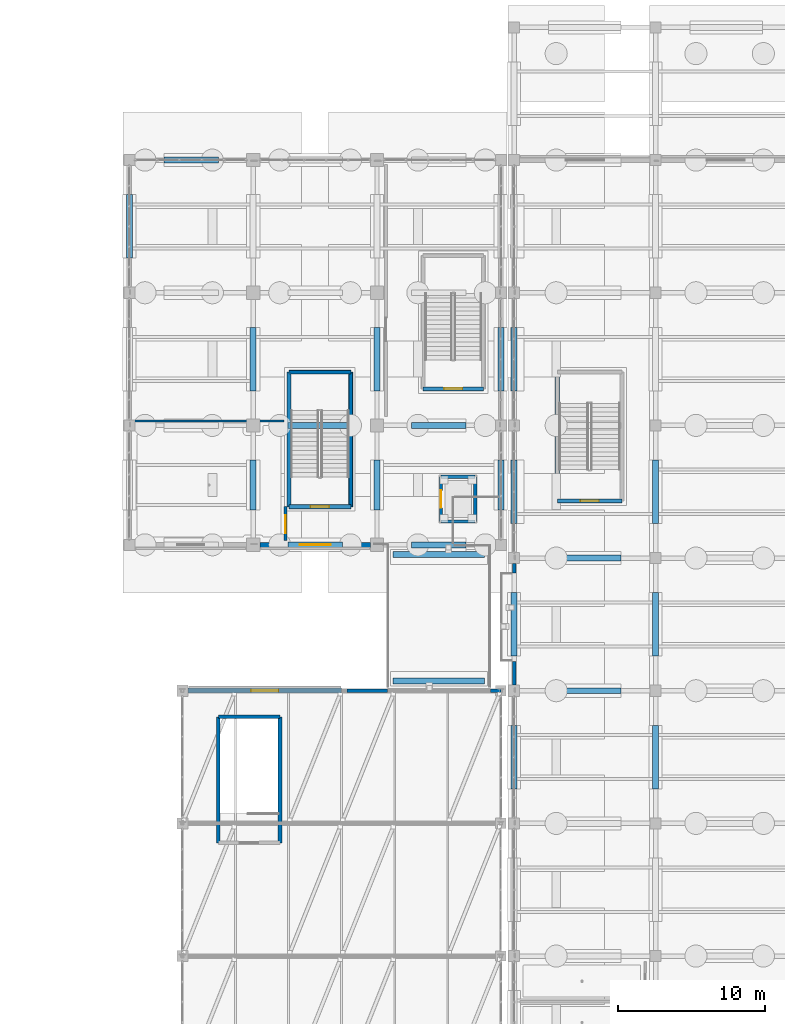
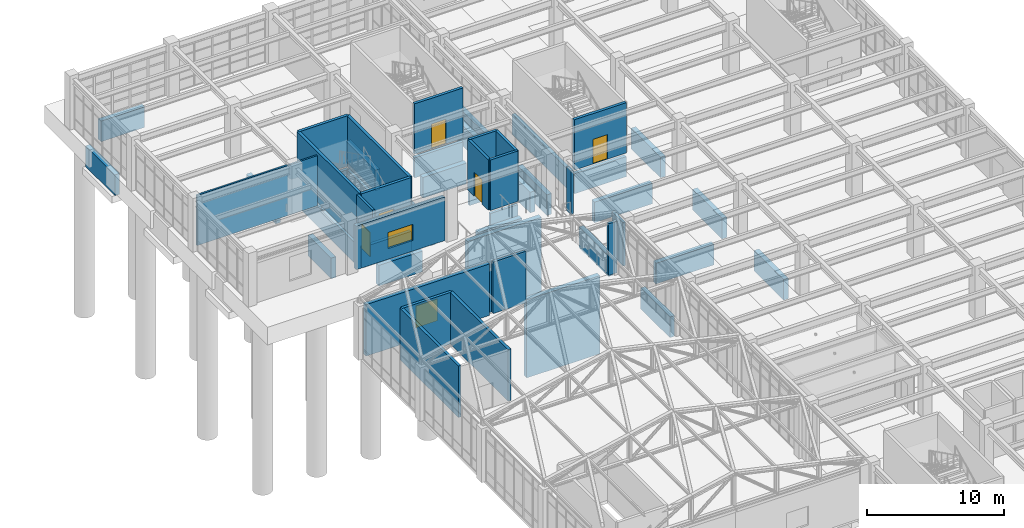
# One storey, part 114 of 139: 53 walls, 5 doors, 2 windows, 7 openings.
"""IFC4 building model written with IfcOpenShell, lengths in metres."""

from ifc_helpers import new_model, si_unit, direction, frame, frame_2d, origin, place, context, subcontext, project, spatial, rectangle, extrude, material, layer, layer_set, type_object, element, fill, save


model = new_model("IFC4")

# Units and contexts
model_context = context("Model", 3, precision=1e-05, world=origin(), true_north=direction((0.0, 1.0)))
body_context = subcontext(model_context, "Body", "Model", "MODEL_VIEW")
ifc_project = project(units=[si_unit("LENGTHUNIT", "METRE"), si_unit("AREAUNIT", "SQUARE_METRE"), si_unit("VOLUMEUNIT", "CUBIC_METRE"), si_unit("PLANEANGLEUNIT", "RADIAN"), si_unit("MASSUNIT", "GRAM", prefix="KILO")], contexts=[model_context])

# Site, building, storey
site_placement = place(None, origin())
site = spatial("IfcSite", under=ifc_project, at=site_placement, CompositionType="ELEMENT")
building_placement = place(site_placement, origin())
building = spatial("IfcBuilding", under=site, at=building_placement, Name="Canglan Escarpment Cableway Terminal", CompositionType="ELEMENT")
storey_placement = place(building_placement, frame((0.0, 0.0, 14.39990234375)))
storey = spatial("IfcBuildingStorey", under=building, at=storey_placement, Name="L03", CompositionType="ELEMENT", Elevation=14.39990234375)

# Walls
ifc_material_1 = material(Name="Concrete C40", Category="concrete")
ifc_layer_1 = layer(ifc_material_1, 0.39990234375, Name="Concrete C40")
ifc_layer_set_1 = layer_set([ifc_layer_1], Name="Concrete C40")
wall_type_1 = type_object("IfcWallType", Name="WL-BENCH-SOLID-400", PredefinedType="SOLIDWALL", material=ifc_layer_set_1)
wall_1_placement = place(storey_placement, frame((122.25, 88.89990234375, -2.099853515625), z_axis=(0.0, 0.0, 1.0), x_axis=(1.0, 0.0, 0.0)))
element("IfcWall", 1, at=wall_1_placement, inside=storey, type_object=wall_type_1, Name="Hillside bench foundation wall BWALL-X-FB8-1-2", PredefinedType="SOLIDWALL", context=body_context, shape_type="SweptSolid", body=[
    extrude(rectangle(XDim=3.699951171875, YDim=0.39990234375, at=frame_2d((1.85009765625, 0.0))), origin(), (0.0, 0.0, 1.0), 1.849853515625),
])
wall_2_placement = place(storey_placement, frame((130.64990234375, 88.89990234375, -2.099853515625), z_axis=(0.0, 0.0, 1.0), x_axis=(1.0, 0.0, 0.0)))
element("IfcWall", 2, at=wall_2_placement, inside=storey, type_object=wall_type_1, Name="Hillside bench foundation wall BWALL-X-FB8-1-3", PredefinedType="SOLIDWALL", context=body_context, shape_type="SweptSolid", body=[
    extrude(rectangle(XDim=3.7001953125, YDim=0.39990234375, at=frame_2d((1.85009765625, 0.0))), origin(), (0.0, 0.0, 1.0), 1.849853515625),
])
wall_3_placement = place(storey_placement, frame((122.25, 97.0, -2.099853515625), z_axis=(0.0, 0.0, 1.0), x_axis=(1.0, 0.0, 0.0)))
element("IfcWall", 3, at=wall_3_placement, inside=storey, type_object=wall_type_1, Name="Hillside bench foundation wall BWALL-X-FB8-2-2", PredefinedType="SOLIDWALL", context=body_context, shape_type="SweptSolid", body=[
    extrude(rectangle(XDim=4.1298828125, YDim=0.39990234375, at=frame_2d((2.06494140625, 0.0))), origin(), (0.0, 0.0, 1.0), 1.849853515625),
])
wall_4_placement = place(storey_placement, frame((130.64990234375, 97.0, -2.099853515625), z_axis=(0.0, 0.0, 1.0), x_axis=(1.0, 0.0, 0.0)))
element("IfcWall", 4, at=wall_4_placement, inside=storey, type_object=wall_type_1, Name="Hillside bench foundation wall BWALL-X-FB8-2-3", PredefinedType="SOLIDWALL", context=body_context, shape_type="SweptSolid", body=[
    extrude(rectangle(XDim=3.7001953125, YDim=0.39990234375, at=frame_2d((1.85009765625, 0.0))), origin(), (0.0, 0.0, 1.0), 1.849853515625),
])
wall_5_placement = place(storey_placement, frame((113.85009765625, 115.0, -2.099853515625), z_axis=(0.0, 0.0, 1.0), x_axis=(1.0, 0.0, 0.0)))
element("IfcWall", 5, at=wall_5_placement, inside=storey, type_object=wall_type_1, Name="Hillside bench foundation wall BWALL-X-FB8-4-1", PredefinedType="SOLIDWALL", context=body_context, shape_type="SweptSolid", body=[
    extrude(rectangle(XDim=3.699951171875, YDim=0.39990234375, at=frame_2d((1.85009765625, 0.0))), origin(), (0.0, 0.0, 1.0), 1.849853515625),
])
wall_6_placement = place(storey_placement, frame((111.5, 108.35009765625, -2.099853515625), z_axis=(0.0, 0.0, 1.0), x_axis=(0.0, 1.0, 0.0)))
element("IfcWall", 6, at=wall_6_placement, inside=storey, type_object=wall_type_1, Name="Hillside bench transverse foundation wall BWALL-Y-FB8-1-3", PredefinedType="SOLIDWALL", context=body_context, shape_type="SweptSolid", body=[
    extrude(rectangle(XDim=4.2998046875, YDim=0.39990234375, at=frame_2d((2.14990234375, 0.0))), origin(), (0.0, 0.0, 1.0), 1.849853515625),
])
wall_7_placement = place(storey_placement, frame((119.89990234375, 91.25, -2.099853515625), z_axis=(0.0, 0.0, 1.0), x_axis=(0.0, 1.0, 0.0)))
element("IfcWall", 7, at=wall_7_placement, inside=storey, type_object=wall_type_1, Name="Hillside bench transverse foundation wall BWALL-Y-FB8-2-1", PredefinedType="SOLIDWALL", context=body_context, shape_type="SweptSolid", body=[
    extrude(rectangle(XDim=3.39990234375, YDim=0.39990234375, at=frame_2d((1.699951171875, 0.0))), origin(), (0.0, 0.0, 1.0), 1.849853515625),
])
wall_8_placement = place(storey_placement, frame((119.89990234375, 99.35009765625, -2.099853515625), z_axis=(0.0, 0.0, 1.0), x_axis=(0.0, 1.0, 0.0)))
element("IfcWall", 8, at=wall_8_placement, inside=storey, type_object=wall_type_1, Name="Hillside bench transverse foundation wall BWALL-Y-FB8-2-2", PredefinedType="SOLIDWALL", context=body_context, shape_type="SweptSolid", body=[
    extrude(rectangle(XDim=4.2998046875, YDim=0.39990234375, at=frame_2d((2.14990234375, 0.0))), origin(), (0.0, 0.0, 1.0), 1.849853515625),
])
wall_9_placement = place(storey_placement, frame((128.300048828125, 91.25, -2.099853515625), z_axis=(0.0, 0.0, 1.0), x_axis=(0.0, 1.0, 0.0)))
element("IfcWall", 9, at=wall_9_placement, inside=storey, type_object=wall_type_1, Name="Hillside bench transverse foundation wall BWALL-Y-FB8-3-1", PredefinedType="SOLIDWALL", context=body_context, shape_type="SweptSolid", body=[
    extrude(rectangle(XDim=3.39990234375, YDim=0.39990234375, at=frame_2d((1.699951171875, 0.0))), origin(), (0.0, 0.0, 1.0), 1.849853515625),
])
wall_10_placement = place(storey_placement, frame((128.300048828125, 99.35009765625, -2.099853515625), z_axis=(0.0, 0.0, 1.0), x_axis=(0.0, 1.0, 0.0)))
element("IfcWall", 10, at=wall_10_placement, inside=storey, type_object=wall_type_1, Name="Hillside bench transverse foundation wall BWALL-Y-FB8-3-2", PredefinedType="SOLIDWALL", context=body_context, shape_type="SweptSolid", body=[
    extrude(rectangle(XDim=4.2998046875, YDim=0.39990234375, at=frame_2d((2.14990234375, 0.0))), origin(), (0.0, 0.0, 1.0), 1.849853515625),
])
wall_11_placement = place(storey_placement, frame((136.699951171875, 91.25, -2.099853515625), z_axis=(0.0, 0.0, 1.0), x_axis=(0.0, 1.0, 0.0)))
element("IfcWall", 11, at=wall_11_placement, inside=storey, type_object=wall_type_1, Name="Hillside bench transverse foundation wall BWALL-Y-FB8-4-1", PredefinedType="SOLIDWALL", context=body_context, shape_type="SweptSolid", body=[
    extrude(rectangle(XDim=3.39990234375, YDim=0.39990234375, at=frame_2d((1.699951171875, 0.0))), origin(), (0.0, 0.0, 1.0), 1.849853515625),
])
wall_12_placement = place(storey_placement, frame((136.699951171875, 99.35009765625, -2.099853515625), z_axis=(0.0, 0.0, 1.0), x_axis=(0.0, 1.0, 0.0)))
element("IfcWall", 12, at=wall_12_placement, inside=storey, type_object=wall_type_1, Name="Hillside bench transverse foundation wall BWALL-Y-FB8-4-2", PredefinedType="SOLIDWALL", context=body_context, shape_type="SweptSolid", body=[
    extrude(rectangle(XDim=4.2998046875, YDim=0.39990234375, at=frame_2d((2.14990234375, 0.0))), origin(), (0.0, 0.0, 1.0), 1.849853515625),
])
for number, where, z_axis, x_axis, name in (
    (13, (139.949951171875, 79.0, -2.099853515625), (0.0, 0.0, 1.0), (1.0, 0.0, 0.0), "Hillside bench foundation wall BWALL-X-FB9-6-1"),
    (14, (139.949951171875, 88.0, -2.099853515625), (0.0, 0.0, 1.0), (1.0, 0.0, 0.0), "Hillside bench foundation wall BWALL-X-FB9-7-1"),
):
    element("IfcWall", number, at=place(storey_placement, frame(where, z_axis=z_axis, x_axis=x_axis)), inside=storey, type_object=wall_type_1, Name=name, PredefinedType="SOLIDWALL", context=body_context, shape_type="SweptSolid", body=[
        extrude(rectangle(XDim=4.900146484375, YDim=0.39990234375, at=frame_2d((2.4501953125, 0.0))), origin(), (0.0, 0.0, 1.0), 1.849853515625),
    ])
for number, where, z_axis, x_axis, name in (
    (15, (137.60009765625, 72.35009765625, -2.099853515625), (0.0, 0.0, 1.0), (0.0, 1.0, 0.0), "Hillside bench transverse foundation wall BWALL-Y-FB9-1-5"),
    (16, (137.60009765625, 81.35009765625, -2.099853515625), (0.0, 0.0, 1.0), (0.0, 1.0, 0.0), "Hillside bench transverse foundation wall BWALL-Y-FB9-1-6"),
    (17, (137.60009765625, 90.35009765625, -2.099853515625), (0.0, 0.0, 1.0), (0.0, 1.0, 0.0), "Hillside bench transverse foundation wall BWALL-Y-FB9-1-7"),
    (18, (137.60009765625, 99.35009765625, -2.099853515625), (0.0, 0.0, 1.0), (0.0, 1.0, 0.0), "Hillside bench transverse foundation wall BWALL-Y-FB9-1-8"),
    (19, (147.199951171875, 72.35009765625, -2.099853515625), (0.0, 0.0, 1.0), (0.0, 1.0, 0.0), "Hillside bench transverse foundation wall BWALL-Y-FB9-2-5"),
    (20, (147.199951171875, 81.35009765625, -2.099853515625), (0.0, 0.0, 1.0), (0.0, 1.0, 0.0), "Hillside bench transverse foundation wall BWALL-Y-FB9-2-6"),
    (21, (147.199951171875, 90.35009765625, -2.099853515625), (0.0, 0.0, 1.0), (0.0, 1.0, 0.0), "Hillside bench transverse foundation wall BWALL-Y-FB9-2-7"),
):
    element("IfcWall", number, at=place(storey_placement, frame(where, z_axis=z_axis, x_axis=x_axis)), inside=storey, type_object=wall_type_1, Name=name, PredefinedType="SOLIDWALL", context=body_context, shape_type="SweptSolid", body=[
        extrude(rectangle(XDim=4.2998046875, YDim=0.39990234375, at=frame_2d((2.14990234375, 0.0))), origin(), (0.0, 0.0, 1.0), 1.849853515625),
    ])
for number, where, z_axis, x_axis, name in (
    (22, (129.39990234375, 79.655029296875, -7.199951171875), (0.0, 0.0, 1.0), (1.0, 0.0, 0.0), "Link gallery support wall BW-01"),
    (23, (129.39990234375, 88.2451171875, -7.199951171875), (0.0, 0.0, 1.0), (1.0, 0.0, 0.0), "Link gallery support wall BW-01"),
):
    element("IfcWall", number, at=place(storey_placement, frame(where, z_axis=z_axis, x_axis=x_axis)), inside=storey, type_object=wall_type_1, Name=name, PredefinedType="SOLIDWALL", context=body_context, shape_type="SweptSolid", body=[
        extrude(rectangle(XDim=6.2001953125, YDim=0.39990234375, at=frame_2d((3.10009765625, 0.0))), origin(), (0.0, 0.0, 1.0), 6.97998046875),
    ])
wall_13_placement = place(storey_placement, frame((126.52001953125, 91.47998046875, -2.099853515625), z_axis=(0.0, 0.0, 1.0), x_axis=(0.0, 1.0, 0.0)))
element("IfcWall", 24, at=wall_13_placement, inside=storey, type_object=wall_type_1, Name="Stair core foundation wall ST-12", PredefinedType="SOLIDWALL", context=body_context, shape_type="SweptSolid", body=[
    extrude(rectangle(XDim=9.14013671875, YDim=0.280029296875, at=frame_2d((4.570068359375, 0.0))), origin(), (0.0, 0.0, 1.0), 1.800048828125),
])
wall_14_placement = place(storey_placement, frame((126.52001953125, 100.6201171875, -2.099853515625), z_axis=(0.0, 0.0, 1.0), x_axis=(-1.0, 0.0, 0.0)))
element("IfcWall", 25, at=wall_14_placement, inside=storey, type_object=wall_type_1, Name="Stair core foundation wall ST-12", PredefinedType="SOLIDWALL", context=body_context, shape_type="SweptSolid", body=[
    extrude(rectangle(XDim=4.18994140625, YDim=0.280029296875, at=frame_2d((2.094970703125, 0.0))), origin(), (0.0, 0.0, 1.0), 1.800048828125),
])
wall_15_placement = place(storey_placement, frame((122.330078125, 100.6201171875, -2.099853515625), z_axis=(0.0, 0.0, 1.0), x_axis=(0.0, -1.0, 0.0)))
element("IfcWall", 26, at=wall_15_placement, inside=storey, type_object=wall_type_1, Name="Stair core foundation wall ST-12", PredefinedType="SOLIDWALL", context=body_context, shape_type="SweptSolid", body=[
    extrude(rectangle(XDim=9.14013671875, YDim=0.280029296875, at=frame_2d((4.570068359375, 0.0))), origin(), (0.0, 0.0, 1.0), 1.800048828125),
])
wall_16_placement = place(storey_placement, frame((122.330078125, 91.47998046875, -2.099853515625), z_axis=(0.0, 0.0, 1.0), x_axis=(1.0, 0.0, 0.0)))
element("IfcWall", 27, at=wall_16_placement, inside=storey, type_object=wall_type_1, Name="Stair core foundation wall ST-12", PredefinedType="SOLIDWALL", context=body_context, shape_type="SweptSolid", body=[
    extrude(rectangle(XDim=4.18994140625, YDim=0.280029296875, at=frame_2d((2.094970703125, 0.0))), origin(), (0.0, 0.0, 1.0), 1.800048828125),
])
wall_17_placement = place(storey_placement, frame((131.429931640625, 99.47998046875, -2.099853515625), z_axis=(0.0, 0.0, 1.0), x_axis=(1.0, 0.0, 0.0)))
element("IfcWall", 28, at=wall_17_placement, inside=storey, type_object=wall_type_1, Name="Stair core foundation wall ST-18", PredefinedType="SOLIDWALL", context=body_context, shape_type="SweptSolid", body=[
    extrude(rectangle(XDim=4.090087890625, YDim=0.280029296875, at=frame_2d((2.044921875, 0.0))), origin(), (0.0, 0.0, 1.0), 1.800048828125),
])
wall_18_placement = place(storey_placement, frame((140.530029296875, 100.6201171875, -2.099853515625), z_axis=(0.0, 0.0, 1.0), x_axis=(0.0, -1.0, 0.0)))
element("IfcWall", 29, at=wall_18_placement, inside=storey, type_object=wall_type_1, Name="Stair core foundation wall ST-16", PredefinedType="SOLIDWALL", context=body_context, shape_type="SweptSolid", body=[
    extrude(rectangle(XDim=8.740234375, YDim=0.280029296875, at=frame_2d((4.3701171875, 0.0))), origin(), (0.0, 0.0, 1.0), 1.800048828125),
])
wall_19_placement = place(storey_placement, frame((140.530029296875, 91.8798828125, -2.099853515625), z_axis=(0.0, 0.0, 1.0), x_axis=(1.0, 0.0, 0.0)))
element("IfcWall", 30, at=wall_19_placement, inside=storey, type_object=wall_type_1, Name="Stair core foundation wall ST-16", PredefinedType="SOLIDWALL", context=body_context, shape_type="SweptSolid", body=[
    extrude(rectangle(XDim=4.389892578125, YDim=0.280029296875, at=frame_2d((2.19482421875, 0.0))), origin(), (0.0, 0.0, 1.0), 1.800048828125),
])
ifc_layer_2 = layer(ifc_material_1, 0.239990234375, Name="Concrete C40")
ifc_layer_set_2 = layer_set([ifc_layer_2], Name="Concrete C40")
wall_type_2 = type_object("IfcWallType", Name="WL-CORE-SHEAR-240", PredefinedType="SHEAR", material=ifc_layer_set_2)
wall_20_placement = place(storey_placement, frame((121.719970703125, 68.679931640625, 0.0), z_axis=(0.0, 0.0, 1.0), x_axis=(0.0, 1.0, 0.0)))
element("IfcWall", 31, at=wall_20_placement, inside=storey, type_object=wall_type_2, Name="Protected stair core wall ST-11 (L03)", PredefinedType="SHEAR", context=body_context, shape_type="SweptSolid", body=[
    extrude(rectangle(XDim=8.5400390625, YDim=0.239990234375, at=frame_2d((4.27001953125, 0.0))), origin(), (0.0, 0.0, 1.0), 4.60009765625),
])
wall_21_placement = place(storey_placement, frame((121.719970703125, 77.219970703125, 0.0), z_axis=(0.0, 0.0, 1.0), x_axis=(-1.0, 0.0, 0.0)))
element("IfcWall", 32, at=wall_21_placement, inside=storey, type_object=wall_type_2, Name="Protected stair core wall ST-11 (L03)", PredefinedType="SHEAR", context=body_context, shape_type="SweptSolid", body=[
    extrude(rectangle(XDim=4.18994140625, YDim=0.239990234375, at=frame_2d((2.094970703125, 0.0))), origin(), (0.0, 0.0, 1.0), 4.60009765625),
])
wall_22_placement = place(storey_placement, frame((117.530029296875, 77.219970703125, 0.0), z_axis=(0.0, 0.0, 1.0), x_axis=(0.0, -1.0, 0.0)))
element("IfcWall", 33, at=wall_22_placement, inside=storey, type_object=wall_type_2, Name="Protected stair core wall ST-11 (L03)", PredefinedType="SHEAR", context=body_context, shape_type="SweptSolid", body=[
    extrude(rectangle(XDim=8.5400390625, YDim=0.239990234375, at=frame_2d((4.27001953125, 0.0))), origin(), (0.0, 0.0, 1.0), 4.60009765625),
])
wall_23_placement = place(storey_placement, frame((126.52001953125, 91.47998046875, 0.0), z_axis=(0.0, 0.0, 1.0), x_axis=(0.0, 1.0, 0.0)))
element("IfcWall", 34, at=wall_23_placement, inside=storey, type_object=wall_type_2, Name="Protected stair core wall ST-12 (L03)", PredefinedType="SHEAR", context=body_context, shape_type="SweptSolid", body=[
    extrude(rectangle(XDim=9.14013671875, YDim=0.239990234375, at=frame_2d((4.570068359375, 0.0))), origin(), (0.0, 0.0, 1.0), 4.5),
])
wall_24_placement = place(storey_placement, frame((126.52001953125, 100.6201171875, 0.0), z_axis=(0.0, 0.0, 1.0), x_axis=(-1.0, 0.0, 0.0)))
element("IfcWall", 35, at=wall_24_placement, inside=storey, type_object=wall_type_2, Name="Protected stair core wall ST-12 (L03)", PredefinedType="SHEAR", context=body_context, shape_type="SweptSolid", body=[
    extrude(rectangle(XDim=4.18994140625, YDim=0.239990234375, at=frame_2d((2.094970703125, 0.0))), origin(), (0.0, 0.0, 1.0), 4.5),
])
wall_25_placement = place(storey_placement, frame((122.330078125, 100.6201171875, 0.0), z_axis=(0.0, 0.0, 1.0), x_axis=(0.0, -1.0, 0.0)))
element("IfcWall", 36, at=wall_25_placement, inside=storey, type_object=wall_type_2, Name="Protected stair core wall ST-12 (L03)", PredefinedType="SHEAR", context=body_context, shape_type="SweptSolid", body=[
    extrude(rectangle(XDim=9.14013671875, YDim=0.239990234375, at=frame_2d((4.570068359375, 0.0))), origin(), (0.0, 0.0, 1.0), 4.5),
])

# Wall, opening, door
wall_26_placement = place(storey_placement, frame((122.330078125, 91.47998046875, 0.0), z_axis=(0.0, 0.0, 1.0), x_axis=(1.0, 0.0, 0.0)))
wall_26 = element("IfcWall", 37, at=wall_26_placement, inside=storey, type_object=wall_type_2, Name="Protected stair core wall ST-12 (L03)", PredefinedType="SHEAR", context=body_context, shape_type="SweptSolid", body=[
    extrude(rectangle(XDim=4.18994140625, YDim=0.239990234375, at=frame_2d((2.094970703125, 0.0))), origin(), (0.0, 0.0, 1.0), 4.5),
])
opening_1_placement = place(wall_26_placement, frame((1.469970703125, 0.0, 0.0)))
opening_1 = element("IfcOpeningElement", 38, at=opening_1_placement, cuts=wall_26, Name="Opening SD-D1", PredefinedType="OPENING", context=body_context, shape_type="SweptSolid", body=[
    extrude(rectangle(XDim=1.25, YDim=2.199951171875, at=frame_2d((0.625, 1.10009765625))), frame((0.0, 0.1298828125, 0.0), z_axis=(0.0, -1.0, 0.0), x_axis=(1.0, 0.0, 0.0)), (0.0, 0.0, 1.0), 0.260009765625),
])
ifc_material_2 = material(Name="Steel fire-resisting stair door", Category="steel")
door_type_1 = type_object("IfcDoorType", Name="DR-STAIR-EI90-1250", OperationType="NOTDEFINED", PredefinedType="DOOR", material=ifc_material_2)
door_1_placement = place(opening_1_placement, origin())
door_1 = element("IfcDoor", 39, at=door_1_placement, inside=storey, type_object=door_type_1, Name="Protected exit stair fire door ST-12 (L03)", OperationType="SINGLE_SWING_RIGHT", OverallHeight=2.199951171875, OverallWidth=1.25, PredefinedType="DOOR", context=body_context, shape_type="SweptSolid", body=[
    extrude(rectangle(XDim=1.25, YDim=2.199951171875, at=frame_2d((0.625, 1.10009765625))), frame((0.0, 0.02490234375, 0.0), z_axis=(0.0, -1.0, 0.0), x_axis=(1.0, 0.0, 0.0)), (0.0, 0.0, 1.0), 0.050048828125),
])
fill(opening_1, door_1)

wall_27_placement = place(storey_placement, frame((131.429931640625, 99.47998046875, 0.0), z_axis=(0.0, 0.0, 1.0), x_axis=(1.0, 0.0, 0.0)))
wall_27 = element("IfcWall", 40, at=wall_27_placement, inside=storey, type_object=wall_type_2, Name="Protected stair core wall ST-18 (L03)", PredefinedType="SHEAR", context=body_context, shape_type="SweptSolid", body=[
    extrude(rectangle(XDim=4.090087890625, YDim=0.239990234375, at=frame_2d((2.044921875, 0.0))), origin(), (0.0, 0.0, 1.0), 4.5),
])
opening_2_placement = place(wall_27_placement, frame((1.419921875, 0.0, 0.0)))
opening_2 = element("IfcOpeningElement", 41, at=opening_2_placement, cuts=wall_27, Name="Opening SD-D1", PredefinedType="OPENING", context=body_context, shape_type="SweptSolid", body=[
    extrude(rectangle(XDim=1.25, YDim=2.199951171875, at=frame_2d((0.625, 1.10009765625))), frame((0.0, 0.1298828125, 0.0), z_axis=(0.0, -1.0, 0.0), x_axis=(1.0, 0.0, 0.0)), (0.0, 0.0, 1.0), 0.260009765625),
])
door_2_placement = place(opening_2_placement, origin())
door_2 = element("IfcDoor", 42, at=door_2_placement, inside=storey, type_object=door_type_1, Name="Protected exit stair fire door ST-18 (L03)", OperationType="SINGLE_SWING_LEFT", OverallHeight=2.199951171875, OverallWidth=1.25, PredefinedType="DOOR", context=body_context, shape_type="SweptSolid", body=[
    extrude(rectangle(XDim=1.25, YDim=2.199951171875, at=frame_2d((0.625, 1.10009765625))), frame((0.0, 0.02490234375, 0.0), z_axis=(0.0, -1.0, 0.0), x_axis=(1.0, 0.0, 0.0)), (0.0, 0.0, 1.0), 0.050048828125),
])
fill(opening_2, door_2)

wall_28_placement = place(storey_placement, frame((140.530029296875, 91.8798828125, 0.0), z_axis=(0.0, 0.0, 1.0), x_axis=(1.0, 0.0, 0.0)))
wall_28 = element("IfcWall", 43, at=wall_28_placement, inside=storey, type_object=wall_type_2, Name="Protected stair core wall ST-16 (L03)", PredefinedType="SHEAR", context=body_context, shape_type="SweptSolid", body=[
    extrude(rectangle(XDim=4.389892578125, YDim=0.239990234375, at=frame_2d((2.19482421875, 0.0))), origin(), (0.0, 0.0, 1.0), 4.5),
])
opening_3_placement = place(wall_28_placement, frame((1.570068359375, 0.0, 0.0)))
opening_3 = element("IfcOpeningElement", 44, at=opening_3_placement, cuts=wall_28, Name="Opening SD-D1", PredefinedType="OPENING", context=body_context, shape_type="SweptSolid", body=[
    extrude(rectangle(XDim=1.25, YDim=2.199951171875, at=frame_2d((0.625, 1.10009765625))), frame((0.0, 0.1298828125, 0.0), z_axis=(0.0, -1.0, 0.0), x_axis=(1.0, 0.0, 0.0)), (0.0, 0.0, 1.0), 0.260009765625),
])
door_3_placement = place(opening_3_placement, origin())
door_3 = element("IfcDoor", 45, at=door_3_placement, inside=storey, type_object=door_type_1, Name="Protected exit stair fire door ST-16 (L03)", OperationType="SINGLE_SWING_RIGHT", OverallHeight=2.199951171875, OverallWidth=1.25, PredefinedType="DOOR", context=body_context, shape_type="SweptSolid", body=[
    extrude(rectangle(XDim=1.25, YDim=2.199951171875, at=frame_2d((0.625, 1.10009765625))), frame((0.0, 0.02490234375, 0.0), z_axis=(0.0, -1.0, 0.0), x_axis=(1.0, 0.0, 0.0)), (0.0, 0.0, 1.0), 0.050048828125),
])
fill(opening_3, door_3)

# Wall, opening, window
ifc_material_3 = material(Name="Bush-hammered granite ashlar on Concrete C40", Category="masonry")
ifc_layer_3 = layer(ifc_material_3, 0.340087890625, Name="Bush-hammered granite ashlar on Concrete C40")
ifc_layer_set_3 = layer_set([ifc_layer_3], Name="Bush-hammered granite ashlar on Concrete C40")
wall_type_3 = type_object("IfcWallType", Name="WL-EXT-GRAN-340", PredefinedType="STANDARD", material=ifc_layer_set_3)
wall_29_placement = place(storey_placement, frame((125.89990234375, 79.0, 0.0), z_axis=(0.0, 0.0, 1.0), x_axis=(-1.0, 0.0, 0.0)))
wall_29 = element("IfcWall", 46, at=wall_29_placement, inside=storey, type_object=wall_type_3, Name="Classical stone-faced exterior wall EW-FB7-L03-N-01", PredefinedType="STANDARD", context=body_context, shape_type="SweptSolid", body=[
    extrude(rectangle(XDim=10.4248046875, YDim=0.340087890625, at=frame_2d((5.21240234375, 0.0))), origin(), (0.0, 0.0, 1.0), 4.60009765625),
])
opening_4_placement = place(wall_29_placement, frame((4.28759765625, 0.0, 0.949951171875)))
opening_4 = element("IfcOpeningElement", 47, at=opening_4_placement, cuts=wall_29, Name="Opening W-15", PredefinedType="OPENING", context=body_context, shape_type="SweptSolid", body=[
    extrude(rectangle(XDim=1.85009765625, YDim=1.949951171875, at=frame_2d((0.925048828125, 0.97509765625))), frame((0.0, 0.18017578125, 0.0), z_axis=(0.0, -1.0, 0.0), x_axis=(1.0, 0.0, 0.0)), (0.0, 0.0, 1.0), 0.360107421875),
])
ifc_material_4 = material(Name="Anodized bronze aluminium and Low-E double glazing", Category="aluminium")
window_type_1 = type_object("IfcWindowType", Name="WIN-EXT-15", PartitioningType="DOUBLE_PANEL_VERTICAL", PredefinedType="WINDOW", material=ifc_material_4)
window_1_placement = place(opening_4_placement, origin())
window_1 = element("IfcWindow", 48, at=window_1_placement, inside=storey, type_object=window_type_1, Name="Classical module window W-15", OverallHeight=1.949951171875, OverallWidth=1.85009765625, PartitioningType="SINGLE_PANEL", PredefinedType="WINDOW", context=body_context, shape_type="SweptSolid", body=[
    extrude(rectangle(XDim=1.85009765625, YDim=1.949951171875, at=frame_2d((0.925048828125, 0.97509765625))), frame((0.0, 0.030029296875, 0.0), z_axis=(0.0, -1.0, 0.0), x_axis=(1.0, 0.0, 0.0)), (0.0, 0.0, 1.0), 0.06005859375),
])
fill(opening_4, window_1)

wall_30_placement = place(storey_placement, frame((120.35009765625, 88.89990234375, 0.0), z_axis=(0.0, 0.0, 1.0), x_axis=(1.0, 0.0, 0.0)))
wall_30 = element("IfcWall", 49, at=wall_30_placement, inside=storey, type_object=wall_type_3, Name="Classical stone-faced exterior wall EW-FB8-L03-S-02", PredefinedType="STANDARD", context=body_context, shape_type="SweptSolid", body=[
    extrude(rectangle(XDim=7.5, YDim=0.340087890625, at=frame_2d((3.75, 0.0))), origin(), (0.0, 0.0, 1.0), 3.89111328125),
])
opening_5_placement = place(wall_30_placement, frame((2.699951171875, 0.0, 0.949951171875)))
opening_5 = element("IfcOpeningElement", 50, at=opening_5_placement, cuts=wall_30, Name="Opening W-17", PredefinedType="OPENING", context=body_context, shape_type="SweptSolid", body=[
    extrude(rectangle(XDim=2.10009765625, YDim=1.449951171875, at=frame_2d((1.050048828125, 0.72509765625))), frame((0.0, 0.18017578125, 0.0), z_axis=(0.0, -1.0, 0.0), x_axis=(1.0, 0.0, 0.0)), (0.0, 0.0, 1.0), 0.360107421875),
])
window_type_2 = type_object("IfcWindowType", Name="WIN-EXT-17", PartitioningType="DOUBLE_PANEL_VERTICAL", PredefinedType="WINDOW", material=ifc_material_4)
window_2_placement = place(opening_5_placement, origin())
window_2 = element("IfcWindow", 51, at=window_2_placement, inside=storey, type_object=window_type_2, Name="Classical module window W-17", OverallHeight=1.449951171875, OverallWidth=2.10009765625, PartitioningType="SINGLE_PANEL", PredefinedType="WINDOW", context=body_context, shape_type="SweptSolid", body=[
    extrude(rectangle(XDim=2.10009765625, YDim=1.449951171875, at=frame_2d((1.050048828125, 0.72509765625))), frame((0.0, 0.030029296875, 0.0), z_axis=(0.0, -1.0, 0.0), x_axis=(1.0, 0.0, 0.0)), (0.0, 0.0, 1.0), 0.06005859375),
])
fill(opening_5, window_2)

# Walls
ifc_material_5 = material(Name="Insulated stone-faced spandrel wall", Category="masonry")
ifc_layer_4 = layer(ifc_material_5, 0.22998046875, Name="Insulated stone-faced spandrel wall")
ifc_layer_set_4 = layer_set([ifc_layer_4], Name="Insulated stone-faced spandrel wall")
wall_type_4 = type_object("IfcWallType", Name="WL-EXT-LINK-230", PredefinedType="STANDARD", material=ifc_layer_set_4)
wall_31_placement = place(storey_placement, frame((126.25, 79.0, 0.0), z_axis=(0.0, 0.0, 1.0), x_axis=(1.0, 0.0, 0.0)))
element("IfcWall", 52, at=wall_31_placement, inside=storey, type_object=wall_type_4, Name="Classical stone-faced exterior wall EW-FB7-L03-N-02-FL1", PredefinedType="STANDARD", context=body_context, shape_type="SweptSolid", body=[
    extrude(rectangle(XDim=2.75, YDim=0.22998046875, at=frame_2d((1.375, 0.0))), origin(), (0.0, 0.0, 1.0), 4.60009765625),
])
wall_32_placement = place(storey_placement, frame((136.0, 79.0, 0.0), z_axis=(0.0, 0.0, 1.0), x_axis=(1.0, 0.0, 0.0)))
element("IfcWall", 53, at=wall_32_placement, inside=storey, type_object=wall_type_4, Name="Classical stone-faced exterior wall EW-FB7-L03-N-02-FL2", PredefinedType="STANDARD", context=body_context, shape_type="SweptSolid", body=[
    extrude(rectangle(XDim=0.699951171875, YDim=0.22998046875, at=frame_2d((0.35009765625, 0.0))), origin(), (0.0, 0.0, 1.0), 4.60009765625),
])
wall_33_placement = place(storey_placement, frame((137.60009765625, 79.375, 0.0), z_axis=(0.0, 0.0, 1.0), x_axis=(0.0, 1.0, 0.0)))
element("IfcWall", 54, at=wall_33_placement, inside=storey, type_object=wall_type_4, Name="Classical stone-faced exterior wall EW-FB9-L03-W-06-FL1", PredefinedType="STANDARD", context=body_context, shape_type="SweptSolid", body=[
    extrude(rectangle(XDim=1.625, YDim=0.22998046875, at=frame_2d((0.8125, 0.0))), origin(), (0.0, 0.0, 1.0), 3.89111328125),
])
wall_34_placement = place(storey_placement, frame((137.60009765625, 87.0, 0.0), z_axis=(0.0, 0.0, 1.0), x_axis=(0.0, 1.0, 0.0)))
element("IfcWall", 55, at=wall_34_placement, inside=storey, type_object=wall_type_4, Name="Classical stone-faced exterior wall EW-FB9-L03-W-06-FL2", PredefinedType="STANDARD", context=body_context, shape_type="SweptSolid", body=[
    extrude(rectangle(XDim=0.625, YDim=0.22998046875, at=frame_2d((0.3125, 0.0))), origin(), (0.0, 0.0, 1.0), 3.89111328125),
])

# Wall, opening, door
ifc_material_6 = material(Name="Autoclaved aerated concrete blockwork", Category="masonry")
ifc_layer_5 = layer(ifc_material_6, 0.199951171875, Name="Autoclaved aerated concrete blockwork")
ifc_layer_set_5 = layer_set([ifc_layer_5], Name="Autoclaved aerated concrete blockwork")
wall_type_5 = type_object("IfcWallType", Name="WL-INT-FIRE-200-EI90", PredefinedType="PARTITIONING", material=ifc_layer_set_5)
wall_35_placement = place(storey_placement, frame((122.10009765625, 89.199951171875, 0.0), z_axis=(0.0, 0.0, 1.0), x_axis=(0.0, 1.0, 0.0)))
wall_35 = element("IfcWall", 56, at=wall_35_placement, inside=storey, type_object=wall_type_5, Name="Interior partition wall IW-L03-14-MAIN", PredefinedType="PARTITIONING", context=body_context, shape_type="SweptSolid", body=[
    extrude(rectangle(XDim=2.300048828125, YDim=0.199951171875, at=frame_2d((1.14990234375, 0.0))), origin(), (0.0, 0.0, 1.0), 4.485107421875),
])
opening_6_placement = place(wall_35_placement, frame((0.5, 0.0, 0.0)))
opening_6 = element("IfcOpeningElement", 57, at=opening_6_placement, cuts=wall_35, Name="Opening ID-31", PredefinedType="OPENING", context=body_context, shape_type="SweptSolid", body=[
    extrude(rectangle(XDim=1.199951171875, YDim=2.159912109375, at=frame_2d((0.60009765625, 1.080078125))), frame((0.0, 0.10986328125, 0.0), z_axis=(0.0, -1.0, 0.0), x_axis=(1.0, 0.0, 0.0)), (0.0, 0.0, 1.0), 0.219970703125),
])
ifc_material_7 = material(Name="Fire-rated steel leaf", Category="steel")
door_type_2 = type_object("IfcDoorType", Name="DR-INT-ID-31", OperationType="NOTDEFINED", PredefinedType="DOOR", material=ifc_material_7)
door_4_placement = place(opening_6_placement, origin())
door_4 = element("IfcDoor", 58, at=door_4_placement, inside=storey, type_object=door_type_2, Name="Auxiliary Traction Drive Bay door ID-31", OperationType="SINGLE_SWING_LEFT", OverallHeight=2.159912109375, OverallWidth=1.199951171875, PredefinedType="DOOR", context=body_context, shape_type="SweptSolid", body=[
    extrude(rectangle(XDim=1.199951171875, YDim=2.159912109375, at=frame_2d((0.60009765625, 1.080078125))), frame((0.0, 0.02490234375, 0.0), z_axis=(0.0, -1.0, 0.0), x_axis=(1.0, 0.0, 0.0)), (0.0, 0.0, 1.0), 0.050048828125),
])
fill(opening_6, door_4)

# Walls
ifc_material_8 = material(Name="Acoustic double-stud gypsum partition", Category="gypsum")
ifc_layer_6 = layer(ifc_material_8, 0.14990234375, Name="Acoustic double-stud gypsum partition")
ifc_layer_set_6 = layer_set([ifc_layer_6], Name="Acoustic double-stud gypsum partition")
wall_type_6 = type_object("IfcWallType", Name="WL-INT-PART-150", PredefinedType="PARTITIONING", material=ifc_layer_set_6)
wall_36_placement = place(storey_placement, frame((111.800048828125, 97.300048828125, 0.0), z_axis=(0.0, 0.0, 1.0), x_axis=(1.0, 0.0, 0.0)))
element("IfcWall", 59, at=wall_36_placement, inside=storey, type_object=wall_type_6, Name="Interior partition wall IW-L03-14-SIDE", PredefinedType="PARTITIONING", context=body_context, shape_type="SweptSolid", body=[
    extrude(rectangle(XDim=10.199951171875, YDim=0.14990234375, at=frame_2d((5.10009765625, 0.0))), origin(), (0.0, 0.0, 1.0), 4.485107421875),
])
ifc_layer_7 = layer(ifc_material_1, 0.219970703125, Name="Concrete C40")
ifc_layer_set_7 = layer_set([ifc_layer_7], Name="Concrete C40")
wall_type_7 = type_object("IfcWallType", Name="WL-SHAFT-SHEAR-220", PredefinedType="SHEAR", material=ifc_layer_set_7)
for number, where, z_axis, x_axis, name in (
    (60, (132.639892578125, 90.489990234375, -1.39990234375), (0.0, 0.0, 1.0), (1.0, 0.0, 0.0), "Elevator pit wall LF-08"),
    (61, (132.639892578125, 93.510009765625, -1.39990234375), (0.0, 0.0, 1.0), (1.0, 0.0, 0.0), "Elevator pit wall LF-08"),
):
    element("IfcWall", number, at=place(storey_placement, frame(where, z_axis=z_axis, x_axis=x_axis)), inside=storey, type_object=wall_type_7, Name=name, PredefinedType="SHEAR", context=body_context, shape_type="SweptSolid", body=[
        extrude(rectangle(XDim=2.320068359375, YDim=0.219970703125, at=frame_2d((1.16015625, 0.0))), origin(), (0.0, 0.0, 1.0), 1.1201171875),
    ])
wall_37_placement = place(storey_placement, frame((132.639892578125, 90.489990234375, 0.0), z_axis=(0.0, 0.0, 1.0), x_axis=(1.0, 0.0, 0.0)))
element("IfcWall", 62, at=wall_37_placement, inside=storey, type_object=wall_type_7, Name="Elevator core shaft wall LF-08 (L03)", PredefinedType="SHEAR", context=body_context, shape_type="SweptSolid", body=[
    extrude(rectangle(XDim=2.320068359375, YDim=0.219970703125, at=frame_2d((1.16015625, 0.0))), origin(), (0.0, 0.0, 1.0), 4.5),
])
wall_38_placement = place(storey_placement, frame((134.9599609375, 90.489990234375, 0.0), z_axis=(0.0, 0.0, 1.0), x_axis=(0.0, 1.0, 0.0)))
element("IfcWall", 63, at=wall_38_placement, inside=storey, type_object=wall_type_7, Name="Elevator core shaft wall LF-08 (L03)", PredefinedType="SHEAR", context=body_context, shape_type="SweptSolid", body=[
    extrude(rectangle(XDim=3.02001953125, YDim=0.219970703125, at=frame_2d((1.510009765625, 0.0))), origin(), (0.0, 0.0, 1.0), 4.5),
])
wall_39_placement = place(storey_placement, frame((134.9599609375, 93.510009765625, 0.0), z_axis=(0.0, 0.0, 1.0), x_axis=(-1.0, 0.0, 0.0)))
element("IfcWall", 64, at=wall_39_placement, inside=storey, type_object=wall_type_7, Name="Elevator core shaft wall LF-08 (L03)", PredefinedType="SHEAR", context=body_context, shape_type="SweptSolid", body=[
    extrude(rectangle(XDim=2.320068359375, YDim=0.219970703125, at=frame_2d((1.16015625, 0.0))), origin(), (0.0, 0.0, 1.0), 4.5),
])

# Wall, opening, door
wall_40_placement = place(storey_placement, frame((132.639892578125, 93.510009765625, 0.0), z_axis=(0.0, 0.0, 1.0), x_axis=(0.0, -1.0, 0.0)))
wall_40 = element("IfcWall", 65, at=wall_40_placement, inside=storey, type_object=wall_type_7, Name="Elevator core shaft wall LF-08 (L03)", PredefinedType="SHEAR", context=body_context, shape_type="SweptSolid", body=[
    extrude(rectangle(XDim=3.02001953125, YDim=0.219970703125, at=frame_2d((1.510009765625, 0.0))), origin(), (0.0, 0.0, 1.0), 4.5),
])
opening_7_placement = place(wall_40_placement, frame((0.909912109375, 0.0, 0.0)))
opening_7 = element("IfcOpeningElement", 66, at=opening_7_placement, cuts=wall_40, Name="Opening LD-02", PredefinedType="OPENING", context=body_context, shape_type="SweptSolid", body=[
    extrude(rectangle(XDim=1.199951171875, YDim=2.14990234375, at=frame_2d((0.60009765625, 1.074951171875))), frame((0.0, 0.1201171875, 0.0), z_axis=(0.0, -1.0, 0.0), x_axis=(1.0, 0.0, 0.0)), (0.0, 0.0, 1.0), 0.239990234375),
])
ifc_material_9 = material(Name="Fire-rated stainless steel lift landing door", Category="steel")
door_type_3 = type_object("IfcDoorType", Name="DR-LIFT-FIRE-1200", OperationType="DOUBLE_DOOR_SLIDING", PredefinedType="DOOR", material=ifc_material_9)
door_5_placement = place(opening_7_placement, origin())
door_5 = element("IfcDoor", 67, at=door_5_placement, inside=storey, type_object=door_type_3, Name="Elevator sliding landing door LF-08 (L03)", OperationType="DOUBLE_DOOR_SLIDING", OverallHeight=2.14990234375, OverallWidth=1.199951171875, PredefinedType="DOOR", context=body_context, shape_type="SweptSolid", body=[
    extrude(rectangle(XDim=1.199951171875, YDim=2.14990234375, at=frame_2d((0.60009765625, 1.074951171875))), frame((0.0, 0.02490234375, 0.0), z_axis=(0.0, -1.0, 0.0), x_axis=(1.0, 0.0, 0.0)), (0.0, 0.0, 1.0), 0.050048828125),
])
fill(opening_7, door_5)

save(model, "model.ifc")
